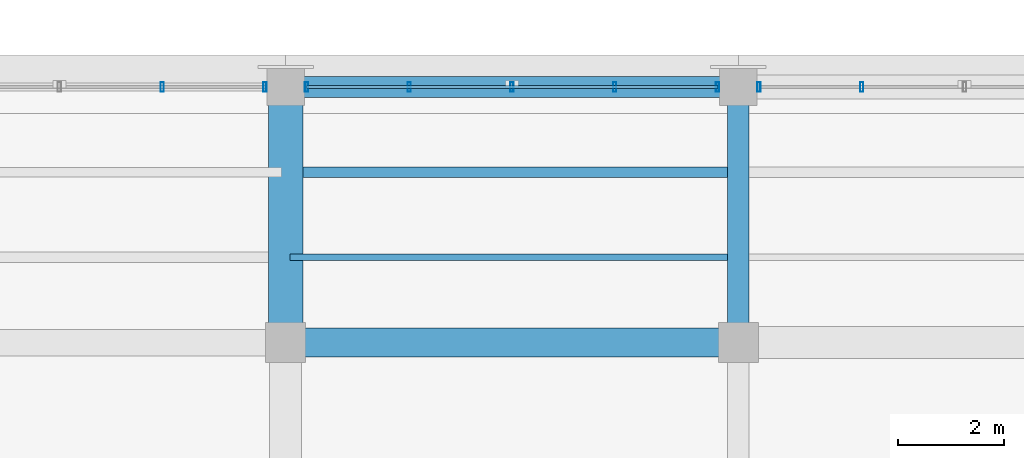
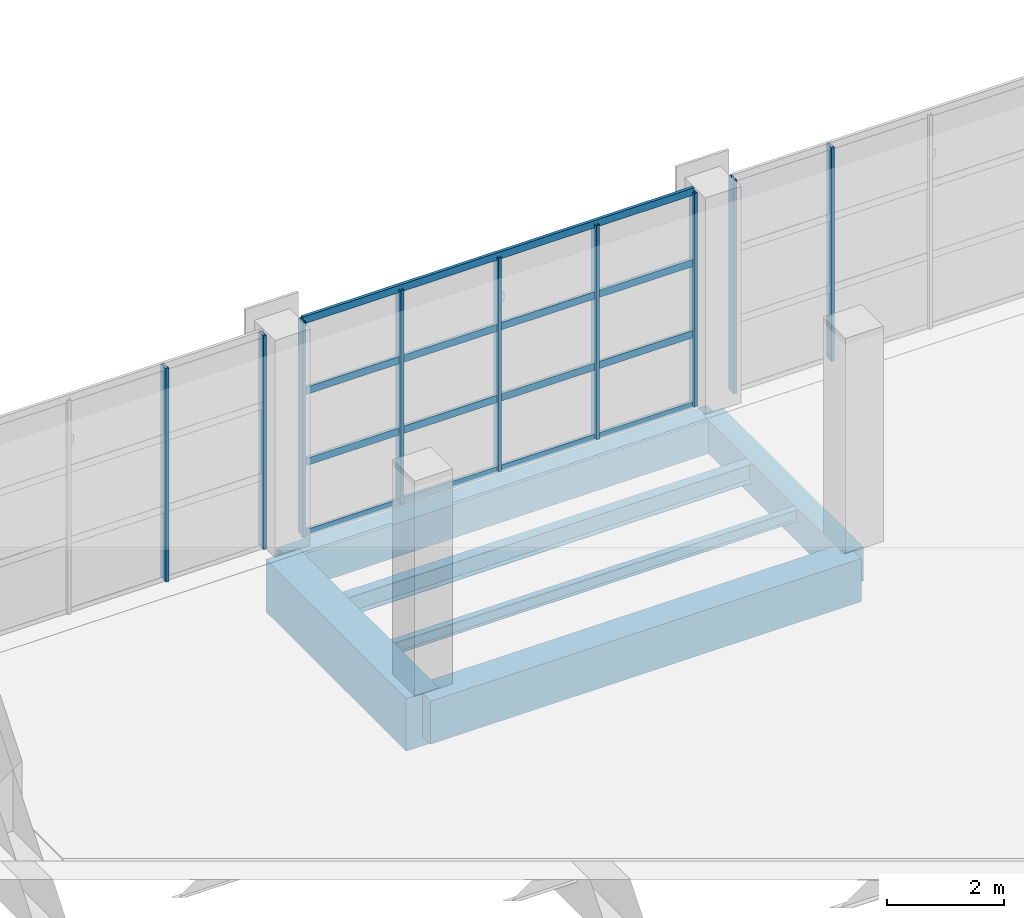
# One storey, part 21 of 112: 13 members, 6 beams, 3 elements without a shape of their own.
"""IFC4 building model written with IfcOpenShell, lengths in metres."""

from ifc_helpers import new_model, si_unit, direction, frame, origin, origin_2d, place, context, subcontext, project, spatial, rectangle, hollow_rectangle, i_section, extrude, material, material_profile, profile_set, type_object, element, aggregate, save


model = new_model("IFC4")

# Units and contexts
model_context = context("Model", 3, precision=1e-05, world=origin(), true_north=direction((0.0, 1.0)))
body_context = subcontext(model_context, "Body", "Model", "MODEL_VIEW")
ifc_project = project(units=[si_unit("LENGTHUNIT", "METRE"), si_unit("AREAUNIT", "SQUARE_METRE"), si_unit("VOLUMEUNIT", "CUBIC_METRE"), si_unit("PLANEANGLEUNIT", "RADIAN"), si_unit("MASSUNIT", "GRAM", prefix="KILO")], contexts=[model_context])

# Site, building, storey
site_placement = place(None, origin())
site = spatial("IfcSite", under=ifc_project, at=site_placement, CompositionType="ELEMENT")
building_placement = place(site_placement, origin())
building = spatial("IfcBuilding", under=site, at=building_placement, Name="Solvikara Media Centre", CompositionType="ELEMENT")
storey_placement = place(building_placement, frame((0.0, 0.0, 5.39990234375)))
storey = spatial("IfcBuildingStorey", under=building, at=storey_placement, Name="L01", CompositionType="ELEMENT", Elevation=5.39990234375)

# Beams
ifc_material_1 = material(Name="Concrete fc' 35 MPa (C35/45)", Category="concrete")
ifc_material_profile_1 = material_profile(ifc_material_1, rectangle(XDim=0.39990234375, YDim=0.699951171875, at=origin_2d()), Name="RC 400x700")
ifc_profile_set_1 = profile_set([ifc_material_profile_1], Name="Concrete fc' 35 MPa (C35/45)")
beam_type_1 = type_object("IfcBeamType", Name="BM-03", PredefinedType="BEAM", material=ifc_profile_set_1)
beam_1_placement = place(storey_placement, frame((59.5, 32.0, -0.60986328125), z_axis=(0.0, 1.0, 0.0), x_axis=(-1.0, 0.0, 0.0)))
element("IfcBeam", 1, at=beam_1_placement, inside=storey, type_object=beam_type_1, Name="B-L01-Y0591", PredefinedType="BEAM", context=body_context, shape_type="SweptSolid", body=[
    extrude(rectangle(XDim=0.39990234375, YDim=0.699951171875, at=origin_2d()), origin(), (0.0, 0.0, 1.0), 4.800048828125),
])
ifc_material_2 = material(Name="Concrete fc' 45 MPa (C45/55)", Category="concrete")
ifc_material_profile_2 = material_profile(ifc_material_2, rectangle(XDim=0.550048828125, YDim=0.89990234375, at=origin_2d()), Name="RC 550x900")
ifc_profile_set_2 = profile_set([ifc_material_profile_2], Name="Concrete fc' 45 MPa (C45/55)")
beam_type_2 = type_object("IfcBeamType", Name="BM-10", PredefinedType="BEAM", material=ifc_profile_set_2)
beam_2_placement = place(storey_placement, frame((51.0, 32.0, -0.7099609375), z_axis=(1.0, 0.0, 0.0), x_axis=(0.0, 1.0, 0.0)))
element("IfcBeam", 2, at=beam_2_placement, inside=storey, type_object=beam_type_2, Name="B-L01-X0478", PredefinedType="BEAM", context=body_context, shape_type="SweptSolid", body=[
    extrude(rectangle(XDim=0.550048828125, YDim=0.89990234375, at=origin_2d()), origin(), (0.0, 0.0, 1.0), 8.5),
])
ifc_material_profile_3 = material_profile(ifc_material_2, rectangle(XDim=0.64990234375, YDim=1.10009765625, at=origin_2d()), Name="RC 650x1100")
ifc_profile_set_3 = profile_set([ifc_material_profile_3], Name="Concrete fc' 45 MPa (C45/55)")
beam_type_3 = type_object("IfcBeamType", Name="BM-12", PredefinedType="BEAM", material=ifc_profile_set_3)
beam_3_placement = place(storey_placement, frame((51.0, 32.0, -0.809814453125), z_axis=(0.0, 1.0, 0.0), x_axis=(-1.0, 0.0, 0.0)))
element("IfcBeam", 3, at=beam_3_placement, inside=storey, type_object=beam_type_3, Name="B-L01-Y0588", PredefinedType="BEAM", context=body_context, shape_type="SweptSolid", body=[
    extrude(rectangle(XDim=0.64990234375, YDim=1.10009765625, at=origin_2d()), origin(), (0.0, 0.0, 1.0), 4.800048828125),
])
ifc_material_profile_4 = material_profile(ifc_material_1, rectangle(XDim=0.39990234375, YDim=0.699951171875, at=origin_2d()), Name="RC 400x700")
ifc_profile_set_4 = profile_set([ifc_material_profile_4], Name="Concrete fc' 35 MPa (C35/45)")
beam_type_4 = type_object("IfcBeamType", Name="BM-13", PredefinedType="SPANDREL", material=ifc_profile_set_4)
beam_4_placement = place(storey_placement, frame((51.0, 36.800048828125, -0.60986328125), z_axis=(1.0, 0.0, 0.0), x_axis=(0.0, 1.0, 0.0)))
element("IfcBeam", 4, at=beam_4_placement, inside=storey, type_object=beam_type_4, Name="B-L01-X0481", PredefinedType="SPANDREL", context=body_context, shape_type="SweptSolid", body=[
    extrude(rectangle(XDim=0.39990234375, YDim=0.699951171875, at=origin_2d()), origin(), (0.0, 0.0, 1.0), 8.5),
])
ifc_material_3 = material(Name="Steel S355JR", Category="steel")
ifc_material_profile_5 = material_profile(ifc_material_3, i_section(OverallWidth=0.125, OverallDepth=0.25, WebThickness=0.006103515625, FlangeThickness=0.009033203125, at=origin_2d()), Name="WF 250x125x6x9")
ifc_profile_set_5 = profile_set([ifc_material_profile_5], Name="Steel S355JR")
beam_type_5 = type_object("IfcBeamType", Name="BM-24", PredefinedType="JOIST", material=ifc_profile_set_5)
beam_5_placement = place(storey_placement, frame((51.077880859375, 33.60009765625, -0.386962890625), z_axis=(1.0, 0.0, 0.0), x_axis=(0.0, 1.0, 0.0)))
element("IfcBeam", 5, at=beam_5_placement, inside=storey, type_object=beam_type_5, Name="J-L01-0748", PredefinedType="JOIST", context=body_context, shape_type="SweptSolid", body=[
    extrude(i_section(OverallWidth=0.125, OverallDepth=0.25, WebThickness=0.006103515625, FlangeThickness=0.009033203125, at=origin_2d()), origin(), (0.0, 0.0, 1.0), 8.34423828125),
])
ifc_material_profile_6 = material_profile(ifc_material_3, i_section(OverallWidth=0.198974609375, OverallDepth=0.39599609375, WebThickness=0.007080078125, FlangeThickness=0.010986328125, at=origin_2d()), Name="WF 396x199x7x11")
ifc_profile_set_6 = profile_set([ifc_material_profile_6], Name="Steel S355JR")
beam_type_6 = type_object("IfcBeamType", Name="BM-37", PredefinedType="JOIST", material=ifc_profile_set_6)
beam_6_placement = place(storey_placement, frame((51.077880859375, 35.199951171875, -0.4599609375), z_axis=(1.0, 0.0, 0.0), x_axis=(0.0, 1.0, 0.0)))
element("IfcBeam", 6, at=beam_6_placement, inside=storey, type_object=beam_type_6, Name="J-L01-0749", PredefinedType="JOIST", context=body_context, shape_type="SweptSolid", body=[
    extrude(i_section(OverallWidth=0.198974609375, OverallDepth=0.39599609375, WebThickness=0.007080078125, FlangeThickness=0.010986328125, at=origin_2d()), origin(), (0.0, 0.0, 1.0), 8.34423828125),
])

# Curtain wall, members
ifc_material_4 = material(Name="Anodised aluminium EN AW-6063", Category="aluminium")
curtain_wall_type = type_object("IfcCurtainWallType", Name="CW-05", PredefinedType="NOTDEFINED", material=ifc_material_4)
curtain_wall_1_placement = place(storey_placement, origin())
curtain_wall_1 = element("IfcCurtainWall", 7, at=curtain_wall_1_placement, inside=storey, type_object=curtain_wall_type, Name="CW-L01-V6N-1", PredefinedType="NOTDEFINED")
ifc_material_profile_7 = material_profile(ifc_material_4, hollow_rectangle(XDim=0.06005859375, YDim=0.179931640625, WallThickness=0.00341796875, at=origin_2d()), Name="ALU-M 60x180x3.5")
ifc_profile_set_7 = profile_set([ifc_material_profile_7], Name="Anodised aluminium EN AW-6063")
member_type_1 = type_object("IfcMemberType", Name="MF-03", PredefinedType="MULLION", material=ifc_profile_set_7)
member_1_placement = place(storey_placement, frame((48.679931640625, 36.800048828125, 0.02001953125), z_axis=(0.0, 0.0, 1.0), x_axis=(1.0, 0.0, 0.0)))
member_1 = element("IfcMember", 8, at=member_1_placement, type_object=member_type_1, Name="CW-L01-V6N-1-M03", PredefinedType="MULLION", context=body_context, shape_type="SweptSolid", body=[
    extrude(hollow_rectangle(XDim=0.06005859375, YDim=0.179931640625, WallThickness=0.00341796875, at=origin_2d()), origin(), (0.0, 0.0, 1.0), 4.4599609375),
])
member_2_placement = place(storey_placement, frame((50.610107421875, 36.800048828125, 0.02001953125), z_axis=(0.0, 0.0, 1.0), x_axis=(1.0, 0.0, 0.0)))
member_2 = element("IfcMember", 9, at=member_2_placement, type_object=member_type_1, Name="CW-L01-V6N-1-M04", PredefinedType="MULLION", context=body_context, shape_type="SweptSolid", body=[
    extrude(hollow_rectangle(XDim=0.06005859375, YDim=0.179931640625, WallThickness=0.00341796875, at=origin_2d()), origin(), (0.0, 0.0, 1.0), 4.4599609375),
])
aggregate(curtain_wall_1, [member_1, member_2])

curtain_wall_2_placement = place(storey_placement, origin())
curtain_wall_2 = element("IfcCurtainWall", 10, at=curtain_wall_2_placement, inside=storey, type_object=curtain_wall_type, Name="CW-L01-V6N-2", PredefinedType="NOTDEFINED")
member_3_placement = place(storey_placement, frame((51.389892578125, 36.800048828125, 0.02001953125), z_axis=(0.0, 0.0, 1.0), x_axis=(1.0, 0.0, 0.0)))
member_3 = element("IfcMember", 11, at=member_3_placement, type_object=member_type_1, Name="CW-L01-V6N-2-M00", PredefinedType="MULLION", context=body_context, shape_type="SweptSolid", body=[
    extrude(hollow_rectangle(XDim=0.06005859375, YDim=0.179931640625, WallThickness=0.00341796875, at=origin_2d()), origin(), (0.0, 0.0, 1.0), 4.4599609375),
])
member_4_placement = place(storey_placement, frame((53.320068359375, 36.800048828125, 0.02001953125), z_axis=(0.0, 0.0, 1.0), x_axis=(1.0, 0.0, 0.0)))
member_4 = element("IfcMember", 12, at=member_4_placement, type_object=member_type_1, Name="CW-L01-V6N-2-M01", PredefinedType="MULLION", context=body_context, shape_type="SweptSolid", body=[
    extrude(hollow_rectangle(XDim=0.06005859375, YDim=0.179931640625, WallThickness=0.00341796875, at=origin_2d()), origin(), (0.0, 0.0, 1.0), 4.4599609375),
])
member_5_placement = place(storey_placement, frame((55.25, 36.800048828125, 0.02001953125), z_axis=(0.0, 0.0, 1.0), x_axis=(1.0, 0.0, 0.0)))
member_5 = element("IfcMember", 13, at=member_5_placement, type_object=member_type_1, Name="CW-L01-V6N-2-M02", PredefinedType="MULLION", context=body_context, shape_type="SweptSolid", body=[
    extrude(hollow_rectangle(XDim=0.06005859375, YDim=0.179931640625, WallThickness=0.00341796875, at=origin_2d()), origin(), (0.0, 0.0, 1.0), 4.4599609375),
])
member_6_placement = place(storey_placement, frame((57.179931640625, 36.800048828125, 0.02001953125), z_axis=(0.0, 0.0, 1.0), x_axis=(1.0, 0.0, 0.0)))
member_6 = element("IfcMember", 14, at=member_6_placement, type_object=member_type_1, Name="CW-L01-V6N-2-M03", PredefinedType="MULLION", context=body_context, shape_type="SweptSolid", body=[
    extrude(hollow_rectangle(XDim=0.06005859375, YDim=0.179931640625, WallThickness=0.00341796875, at=origin_2d()), origin(), (0.0, 0.0, 1.0), 4.4599609375),
])
member_7_placement = place(storey_placement, frame((59.110107421875, 36.800048828125, 0.02001953125), z_axis=(0.0, 0.0, 1.0), x_axis=(1.0, 0.0, 0.0)))
member_7 = element("IfcMember", 15, at=member_7_placement, type_object=member_type_1, Name="CW-L01-V6N-2-M04", PredefinedType="MULLION", context=body_context, shape_type="SweptSolid", body=[
    extrude(hollow_rectangle(XDim=0.06005859375, YDim=0.179931640625, WallThickness=0.00341796875, at=origin_2d()), origin(), (0.0, 0.0, 1.0), 4.4599609375),
])

curtain_wall_3_placement = place(storey_placement, origin())
curtain_wall_3 = element("IfcCurtainWall", 16, at=curtain_wall_3_placement, inside=storey, type_object=curtain_wall_type, Name="CW-L01-V6N-3", PredefinedType="NOTDEFINED")
member_8_placement = place(storey_placement, frame((59.889892578125, 36.800048828125, 0.02001953125), z_axis=(0.0, 0.0, 1.0), x_axis=(1.0, 0.0, 0.0)))
member_8 = element("IfcMember", 17, at=member_8_placement, type_object=member_type_1, Name="CW-L01-V6N-3-M00", PredefinedType="MULLION", context=body_context, shape_type="SweptSolid", body=[
    extrude(hollow_rectangle(XDim=0.06005859375, YDim=0.179931640625, WallThickness=0.00341796875, at=origin_2d()), origin(), (0.0, 0.0, 1.0), 4.4599609375),
])
member_9_placement = place(storey_placement, frame((61.820068359375, 36.800048828125, 0.02001953125), z_axis=(0.0, 0.0, 1.0), x_axis=(1.0, 0.0, 0.0)))
member_9 = element("IfcMember", 18, at=member_9_placement, type_object=member_type_1, Name="CW-L01-V6N-3-M01", PredefinedType="MULLION", context=body_context, shape_type="SweptSolid", body=[
    extrude(hollow_rectangle(XDim=0.06005859375, YDim=0.179931640625, WallThickness=0.00341796875, at=origin_2d()), origin(), (0.0, 0.0, 1.0), 4.4599609375),
])
aggregate(curtain_wall_3, [member_8, member_9])

# Member
ifc_material_profile_8 = material_profile(ifc_material_4, hollow_rectangle(XDim=0.06005859375, YDim=0.14990234375, WallThickness=0.0029296875, at=origin_2d()), Name="ALU-T 60x150x3")
ifc_profile_set_8 = profile_set([ifc_material_profile_8], Name="Anodised aluminium EN AW-6063")
member_type_2 = type_object("IfcMemberType", Name="MF-09", PredefinedType="USERDEFINED", material=ifc_profile_set_8)
member_10_placement = place(storey_placement, frame((51.389892578125, 36.800048828125, 0.02001953125), z_axis=(1.0, 0.0, 0.0), x_axis=(0.0, 1.0, 0.0)))
member_10 = element("IfcMember", 19, at=member_10_placement, type_object=member_type_2, Name="CW-L01-V6N-2-T00", ObjectType="TRANSOM", PredefinedType="USERDEFINED", context=body_context, shape_type="SweptSolid", body=[
    extrude(hollow_rectangle(XDim=0.06005859375, YDim=0.14990234375, WallThickness=0.0029296875, at=origin_2d()), origin(), (0.0, 0.0, 1.0), 7.72021484375),
])

member_11_placement = place(storey_placement, frame((51.389892578125, 36.800048828125, 1.507080078125), z_axis=(1.0, 0.0, 0.0), x_axis=(0.0, 1.0, 0.0)))
member_11 = element("IfcMember", 20, at=member_11_placement, type_object=member_type_2, Name="CW-L01-V6N-2-T01", ObjectType="TRANSOM", PredefinedType="USERDEFINED", context=body_context, shape_type="SweptSolid", body=[
    extrude(hollow_rectangle(XDim=0.06005859375, YDim=0.14990234375, WallThickness=0.0029296875, at=origin_2d()), origin(), (0.0, 0.0, 1.0), 7.72021484375),
])

member_12_placement = place(storey_placement, frame((51.389892578125, 36.800048828125, 2.9931640625), z_axis=(1.0, 0.0, 0.0), x_axis=(0.0, 1.0, 0.0)))
member_12 = element("IfcMember", 21, at=member_12_placement, type_object=member_type_2, Name="CW-L01-V6N-2-T02", ObjectType="TRANSOM", PredefinedType="USERDEFINED", context=body_context, shape_type="SweptSolid", body=[
    extrude(hollow_rectangle(XDim=0.06005859375, YDim=0.14990234375, WallThickness=0.0029296875, at=origin_2d()), origin(), (0.0, 0.0, 1.0), 7.72021484375),
])

member_13_placement = place(storey_placement, frame((51.389892578125, 36.800048828125, 4.47998046875), z_axis=(1.0, 0.0, 0.0), x_axis=(0.0, 1.0, 0.0)))
member_13 = element("IfcMember", 22, at=member_13_placement, type_object=member_type_2, Name="CW-L01-V6N-2-T03", ObjectType="TRANSOM", PredefinedType="USERDEFINED", context=body_context, shape_type="SweptSolid", body=[
    extrude(hollow_rectangle(XDim=0.06005859375, YDim=0.14990234375, WallThickness=0.0029296875, at=origin_2d()), origin(), (0.0, 0.0, 1.0), 7.72021484375),
])

aggregate(curtain_wall_2, [member_3, member_4, member_5, member_6, member_7, member_10, member_11, member_12, member_13])

save(model, "model.ifc")
